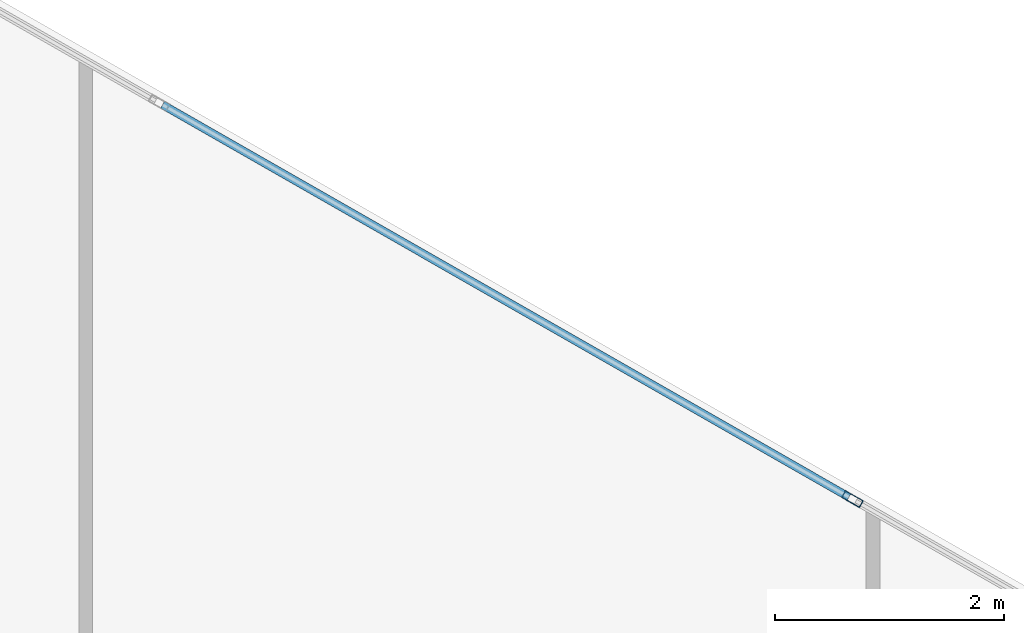
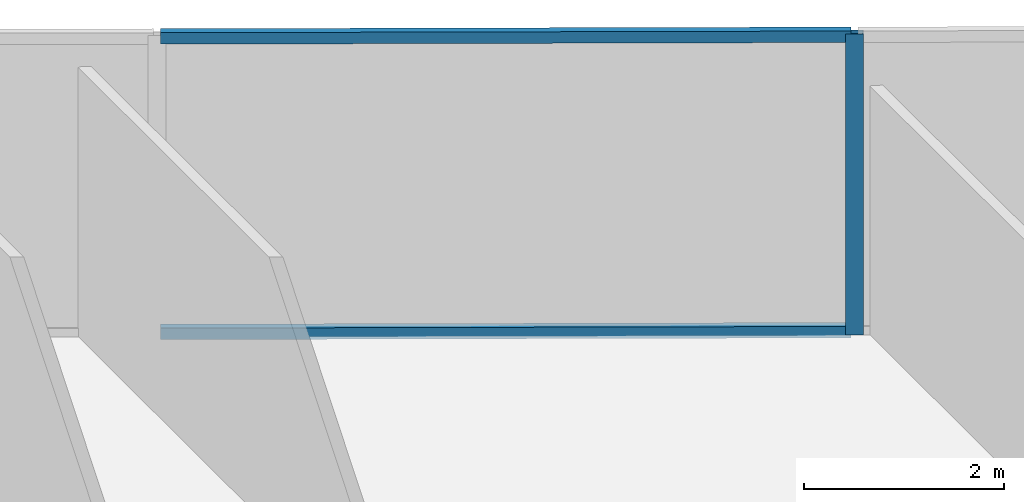
# One storey, part 18 of 24: 3 members, 1 element without a shape of its own.
"""IFC4 building model written with IfcOpenShell, lengths in metres."""

from ifc_helpers import new_model, si_unit, direction, frame, origin, origin_2d, place, context, subcontext, project, spatial, hollow_rectangle, extrude, source, transform, mapped, material, material_profile, profile_set, type_object, type_shapes, element, aggregate, save


model = new_model("IFC4")

# Units and contexts
model_context = context("Model", 3, precision=1e-05, world=origin(), true_north=direction((0.0, 1.0)))
body_context = subcontext(model_context, "Body", "Model", "MODEL_VIEW")
ifc_project = project(units=[si_unit("LENGTHUNIT", "METRE"), si_unit("AREAUNIT", "SQUARE_METRE"), si_unit("VOLUMEUNIT", "CUBIC_METRE"), si_unit("PLANEANGLEUNIT", "RADIAN"), si_unit("MASSUNIT", "GRAM", prefix="KILO")], contexts=[model_context])

# Site, building, storey
site_placement = place(None, origin())
site = spatial("IfcSite", under=ifc_project, at=site_placement, CompositionType="ELEMENT")
building_placement = place(site_placement, origin())
building = spatial("IfcBuilding", under=site, at=building_placement, Name="Krantzveldt Concourse Tower", CompositionType="ELEMENT")
storey_placement = place(building_placement, frame((0.0, 0.0, 165.949951171875)))
storey = spatial("IfcBuildingStorey", under=building, at=storey_placement, Name="L40", CompositionType="ELEMENT", Elevation=165.949951171875)

# Curtain wall, members
ifc_material = material(Name="Anodised aluminium 6063-T6", Category="aluminium")
curtain_wall_type = type_object("IfcCurtainWallType", Name="CW3", PredefinedType="USERDEFINED", material=ifc_material)
curtain_wall_placement = place(storey_placement, origin())
curtain_wall = element("IfcCurtainWall", 1, at=curtain_wall_placement, inside=storey, type_object=curtain_wall_type, Name="CW-L40-F14", ObjectType="UNITISED CURTAIN WALL", PredefinedType="USERDEFINED")
ifc_material_profile_1 = material_profile(ifc_material, hollow_rectangle(XDim=0.070068359375, YDim=0.179931640625, WallThickness=0.0048828125, at=origin_2d()), Name="Anodised aluminium 6063-T6", Category="aluminium")
ifc_profile_set_1 = profile_set([ifc_material_profile_1], Name="Anodised aluminium 6063-T6 - ALU-MULL 180x70x5")
member_type_1 = type_object("IfcMemberType", Name="CW-MUL-180", PredefinedType="MULLION", material=ifc_profile_set_1)
shared_shape_1 = source(origin(), body_context, "Body", "SweptSolid", [
    extrude(hollow_rectangle(XDim=0.070068359375, YDim=0.179931640625, WallThickness=0.0048828125, at=origin_2d()), origin(), (0.0, 0.0, 1.0), 3.670166015625),
])
type_shapes(member_type_1, [shared_shape_1])
member_1_placement = place(storey_placement, frame((43.80126953125, 47.3623046875, 0.0), z_axis=(0.0, 0.0, 1.0), x_axis=(-0.496216394392, -0.868198876949, 0.0)))
member_1 = element("IfcMember", 2, at=member_1_placement, type_object=member_type_1, Name="CW-Z34 mullion 4", PredefinedType="MULLION", context=body_context, shape_type="MappedRepresentation", body=[
    mapped(shared_shape_1, transform((0.0, 0.0, 0.0), x_axis=(1.0, 0.0, 0.0), y_axis=(0.0, 1.0, 0.0), z_axis=(0.0, 0.0, 1.0), scale=1.0)),
])
ifc_material_profile_2 = material_profile(ifc_material, hollow_rectangle(XDim=0.070068359375, YDim=0.139892578125, WallThickness=0.0048828125, at=origin_2d()), Name="Anodised aluminium 6063-T6", Category="aluminium")
ifc_profile_set_2 = profile_set([ifc_material_profile_2], Name="Anodised aluminium 6063-T6 - ALU-TRAN 140x70x5")
member_type_2 = type_object("IfcMemberType", Name="CW-TRN-150", PredefinedType="USERDEFINED", material=ifc_profile_set_2)
shared_shape_2 = source(origin(), body_context, "Body", "SweptSolid", [
    extrude(hollow_rectangle(XDim=0.070068359375, YDim=0.139892578125, WallThickness=0.0048828125, at=origin_2d()), origin(), (0.0, 0.0, 1.0), 6.89013671875),
])
type_shapes(member_type_2, [shared_shape_2])
member_2_placement = place(storey_placement, frame((43.770751953125, 47.379638671875, 0.03515625), z_axis=(-0.868199527911, 0.496215255443, 0.0), x_axis=(-0.496215255443, -0.868199527911, 0.0)))
member_2 = element("IfcMember", 3, at=member_2_placement, type_object=member_type_2, Name="CW-Z34 transom 4.1", ObjectType="TRANSOM", PredefinedType="USERDEFINED", context=body_context, shape_type="MappedRepresentation", body=[
    mapped(shared_shape_2, transform((0.0, 0.0, 0.0), x_axis=(1.0, 0.0, 0.0), y_axis=(0.0, 1.0, 0.0), z_axis=(0.0, 0.0, 1.0), scale=1.0)),
])
member_3_placement = place(storey_placement, frame((43.770751953125, 47.379638671875, 3.635009765625), z_axis=(-0.868199527911, 0.496215255443, 0.0), x_axis=(-0.496215255443, -0.868199527911, 0.0)))
member_3 = element("IfcMember", 4, at=member_3_placement, type_object=member_type_2, Name="CW-Z34 transom 4.2", ObjectType="TRANSOM", PredefinedType="USERDEFINED", context=body_context, shape_type="MappedRepresentation", body=[
    mapped(shared_shape_2, transform((0.0, 0.0, 0.0), x_axis=(1.0, 0.0, 0.0), y_axis=(0.0, 1.0, 0.0), z_axis=(0.0, 0.0, 1.0), scale=1.0)),
])
aggregate(curtain_wall, [member_1, member_2, member_3])

save(model, "model.ifc")
